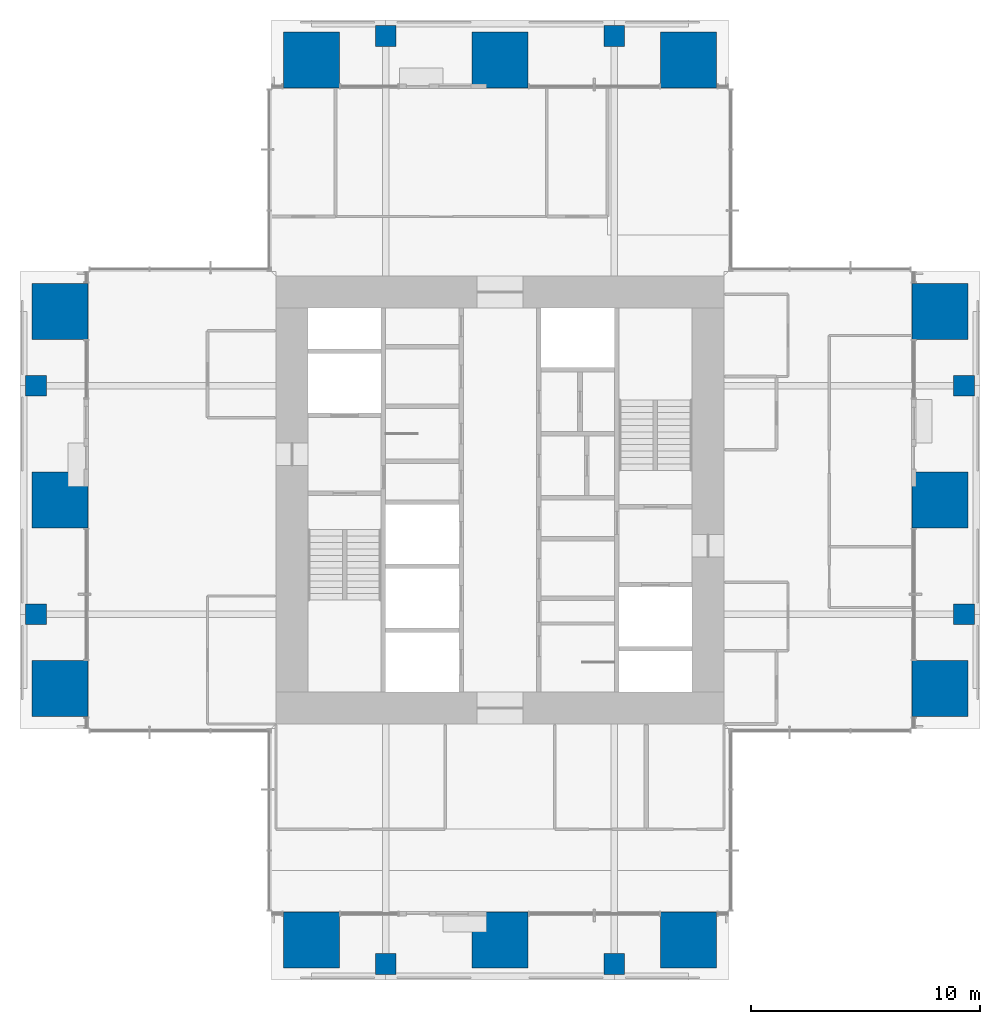
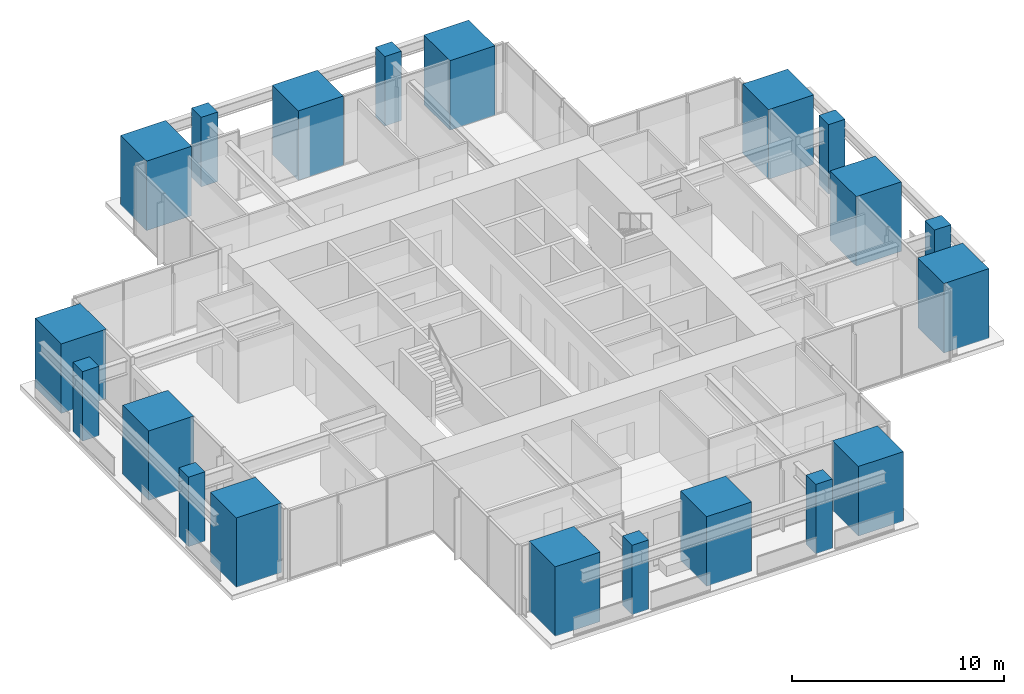
# One storey, part 1 of 17: 20 columns.
"""IFC4 building model written with IfcOpenShell, lengths in metres."""

from ifc_helpers import new_model, si_unit, direction, frame, origin, origin_2d, place, context, subcontext, project, spatial, rectangle, extrude, material, material_profile, profile_set, type_object, element, save


model = new_model("IFC4")

# Units and contexts
model_context = context("Model", 3, precision=1e-05, world=origin(), true_north=direction((0.0, 1.0)))
body_context = subcontext(model_context, "Body", "Model", "MODEL_VIEW")
ifc_project = project(units=[si_unit("LENGTHUNIT", "METRE"), si_unit("AREAUNIT", "SQUARE_METRE"), si_unit("VOLUMEUNIT", "CUBIC_METRE"), si_unit("PLANEANGLEUNIT", "RADIAN"), si_unit("MASSUNIT", "GRAM", prefix="KILO")], contexts=[model_context])

# Site, building, storey
site_placement = place(None, origin())
site = spatial("IfcSite", under=ifc_project, at=site_placement, CompositionType="ELEMENT")
building_placement = place(site_placement, origin())
building = spatial("IfcBuilding", under=site, at=building_placement, Name="Svetlomir Tower", CompositionType="ELEMENT")
storey_placement = place(building_placement, frame((0.0, 0.0, 230.5)))
storey = spatial("IfcBuildingStorey", under=building, at=storey_placement, Name="L55", CompositionType="ELEMENT", Elevation=230.5)

# Columns
ifc_material_1 = material(Name="Concrete C60/75", Category="concrete")
ifc_material_profile_1 = material_profile(ifc_material_1, rectangle(XDim=2.449951171875, YDim=2.449951171875, at=origin_2d()), Name="RC 2450x2450")
ifc_profile_set_1 = profile_set([ifc_material_profile_1], Name="Concrete C60/75")
column_type_1 = type_object("IfcColumnType", Name="COLUMN RC 2450x2450", PredefinedType="COLUMN", material=ifc_profile_set_1)
for number, where, z_axis, x_axis, name in (
    (1, (12.75, 1.75, 0.0), (0.0, 0.0, 1.0), (1.0, 0.0, 0.0), "Column 11/0 L55"),
    (2, (21.0, 1.75, 0.0), (0.0, 0.0, 1.0), (1.0, 0.0, 0.0), "Column 21/0 L55"),
    (3, (29.25, 1.75, 0.0), (0.0, 0.0, 1.0), (1.0, 0.0, 0.0), "Column 31/0 L55"),
    (4, (1.75, 12.75, 0.0), (0.0, 0.0, 1.0), (1.0, 0.0, 0.0), "Column 0/11 L55"),
    (5, (40.25, 12.75, 0.0), (0.0, 0.0, 1.0), (1.0, 0.0, 0.0), "Column 42/11 L55"),
    (6, (1.75, 21.0, 0.0), (0.0, 0.0, 1.0), (1.0, 0.0, 0.0), "Column 0/21 L55"),
    (7, (40.25, 21.0, 0.0), (0.0, 0.0, 1.0), (1.0, 0.0, 0.0), "Column 42/21 L55"),
    (8, (1.75, 29.25, 0.0), (0.0, 0.0, 1.0), (1.0, 0.0, 0.0), "Column 0/31 L55"),
    (9, (40.25, 29.25, 0.0), (0.0, 0.0, 1.0), (1.0, 0.0, 0.0), "Column 42/31 L55"),
    (10, (12.75, 40.25, 0.0), (0.0, 0.0, 1.0), (1.0, 0.0, 0.0), "Column 11/42 L55"),
    (11, (21.0, 40.25, 0.0), (0.0, 0.0, 1.0), (1.0, 0.0, 0.0), "Column 21/42 L55"),
    (12, (29.25, 40.25, 0.0), (0.0, 0.0, 1.0), (1.0, 0.0, 0.0), "Column 31/42 L55"),
):
    element("IfcColumn", number, at=place(storey_placement, frame(where, z_axis=z_axis, x_axis=x_axis)), inside=storey, type_object=column_type_1, Name=name, PredefinedType="COLUMN", context=body_context, shape_type="SweptSolid", body=[
        extrude(rectangle(XDim=2.449951171875, YDim=2.449951171875, at=origin_2d()), origin(), (0.0, 0.0, 1.0), 4.0),
    ])
ifc_material_2 = material(Name="Concrete C60/75", Category="concrete")
ifc_material_profile_2 = material_profile(ifc_material_2, rectangle(XDim=0.89990234375, YDim=0.89990234375, at=origin_2d()), Name="RC 900x900")
ifc_profile_set_2 = profile_set([ifc_material_profile_2], Name="Concrete C60/75")
column_type_2 = type_object("IfcColumnType", Name="COLUMN RC 900x900", PredefinedType="COLUMN", material=ifc_profile_set_2)
for number, where, z_axis, x_axis, name in (
    (13, (16.0, 0.699951171875, 0.0), (0.0, 0.0, 1.0), (1.0, 0.0, 0.0), "Column 16/0 L55"),
    (14, (26.0, 0.699951171875, 0.0), (0.0, 0.0, 1.0), (1.0, 0.0, 0.0), "Column 26/0 L55"),
    (15, (0.699951171875, 16.0, 0.0), (0.0, 0.0, 1.0), (1.0, 0.0, 0.0), "Column 0/16 L55"),
    (16, (41.300048828125, 16.0, 0.0), (0.0, 0.0, 1.0), (1.0, 0.0, 0.0), "Column 42/16 L55"),
    (17, (0.699951171875, 26.0, 0.0), (0.0, 0.0, 1.0), (1.0, 0.0, 0.0), "Column 0/26 L55"),
    (18, (41.300048828125, 26.0, 0.0), (0.0, 0.0, 1.0), (1.0, 0.0, 0.0), "Column 42/26 L55"),
    (19, (16.0, 41.300048828125, 0.0), (0.0, 0.0, 1.0), (1.0, 0.0, 0.0), "Column 16/42 L55"),
    (20, (26.0, 41.300048828125, 0.0), (0.0, 0.0, 1.0), (1.0, 0.0, 0.0), "Column 26/42 L55"),
):
    element("IfcColumn", number, at=place(storey_placement, frame(where, z_axis=z_axis, x_axis=x_axis)), inside=storey, type_object=column_type_2, Name=name, PredefinedType="COLUMN", context=body_context, shape_type="SweptSolid", body=[
        extrude(rectangle(XDim=0.89990234375, YDim=0.89990234375, at=origin_2d()), origin(), (0.0, 0.0, 1.0), 4.0),
    ])

save(model, "model.ifc")
